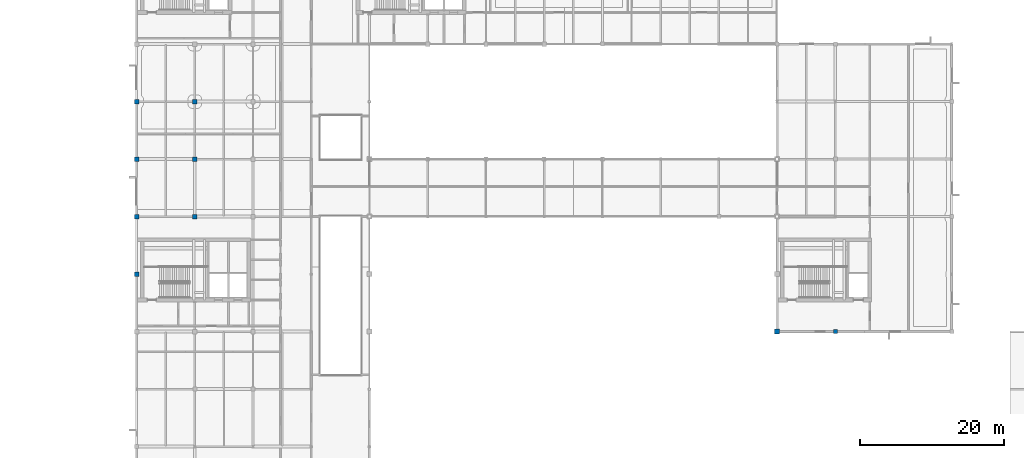
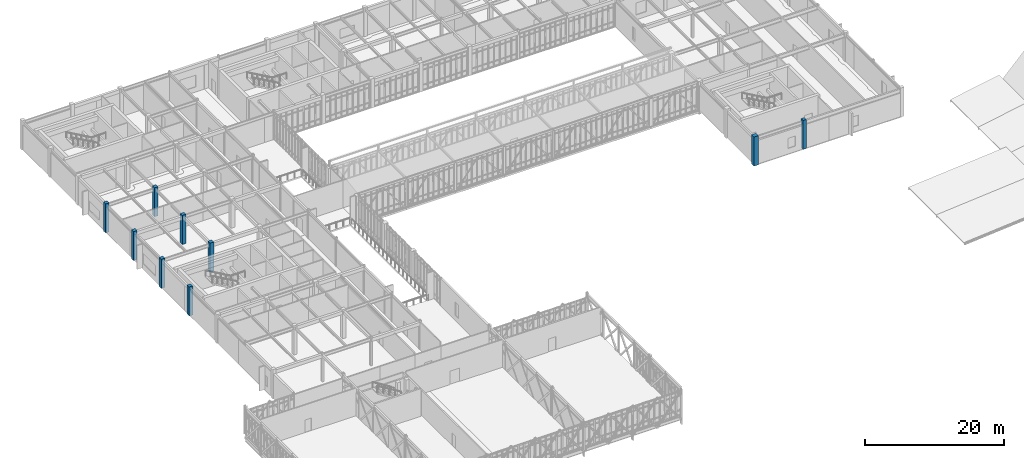
# One storey, part 6 of 107: 9 columns.
"""IFC4 building model written with IfcOpenShell, lengths in metres."""

from ifc_helpers import new_model, si_unit, direction, frame, origin, origin_2d, place, context, subcontext, project, spatial, rectangle, extrude, material, material_profile, profile_set, type_object, element, save


model = new_model("IFC4")

# Units and contexts
model_context = context("Model", 3, precision=1e-05, world=origin(), true_north=direction((0.0, 1.0)))
body_context = subcontext(model_context, "Body", "Model", "MODEL_VIEW")
ifc_project = project(units=[si_unit("LENGTHUNIT", "METRE"), si_unit("AREAUNIT", "SQUARE_METRE"), si_unit("VOLUMEUNIT", "CUBIC_METRE"), si_unit("PLANEANGLEUNIT", "RADIAN"), si_unit("MASSUNIT", "GRAM", prefix="KILO")], contexts=[model_context])

# Site, building, storey
site_placement = place(None, origin())
site = spatial("IfcSite", under=ifc_project, at=site_placement, CompositionType="ELEMENT")
building_placement = place(site_placement, origin())
building = spatial("IfcBuilding", under=site, at=building_placement, Name="Tarnveldt Square Police Headquarters", CompositionType="ELEMENT")
storey_placement = place(building_placement, frame((0.0, 0.0, 14.699951171875)))
storey = spatial("IfcBuildingStorey", under=building, at=storey_placement, Name="L03", CompositionType="ELEMENT", Elevation=14.699951171875)

# Columns
ifc_material_1 = material(Name="Concrete 40 MPa", Category="concrete")
ifc_material_profile_1 = material_profile(ifc_material_1, rectangle(XDim=0.550048828125, YDim=0.550048828125, at=origin_2d()), Name="RC-C550x550")
ifc_profile_set_1 = profile_set([ifc_material_profile_1], Name="Concrete 40 MPa")
column_type_1 = type_object("IfcColumnType", Name="COL-RC550", PredefinedType="COLUMN", material=ifc_profile_set_1)
column_1_placement = place(storey_placement, frame((113.39990234375, 56.0, 0.0), z_axis=(0.0, 0.0, 1.0), x_axis=(1.0, 0.0, 0.0)))
element("IfcColumn", 1, at=column_1_placement, inside=storey, type_object=column_type_1, Name="L03 Column 156", PredefinedType="COLUMN", context=body_context, shape_type="SweptSolid", body=[
    extrude(rectangle(XDim=0.550048828125, YDim=0.550048828125, at=origin_2d()), origin(), (0.0, 0.0, 1.0), 5.10009765625),
])
ifc_material_profile_2 = material_profile(ifc_material_1, rectangle(XDim=0.60009765625, YDim=0.60009765625, at=origin_2d()), Name="RC-C600x600")
ifc_profile_set_2 = profile_set([ifc_material_profile_2], Name="Concrete 40 MPa")
column_type_2 = type_object("IfcColumnType", Name="COL-RC600", PredefinedType="COLUMN", material=ifc_profile_set_2)
for number, where, z_axis, x_axis, name in (
    (2, (16.199951171875, 64.0, 0.0), (0.0, 0.0, 1.0), (1.0, 0.0, 0.0), "L03 Column 021"),
    (3, (16.199951171875, 72.0, 0.0), (0.0, 0.0, 1.0), (1.0, 0.0, 0.0), "L03 Column 022"),
    (4, (16.199951171875, 80.0, 0.0), (0.0, 0.0, 1.0), (1.0, 0.0, 0.0), "L03 Column 023"),
    (5, (16.199951171875, 88.0, 0.0), (0.0, 0.0, 1.0), (1.0, 0.0, 0.0), "L03 Column 024"),
    (6, (24.300048828125, 72.0, 0.0), (0.0, 0.0, 1.0), (1.0, 0.0, 0.0), "L03 Column 034"),
    (7, (24.300048828125, 80.0, 0.0), (0.0, 0.0, 1.0), (1.0, 0.0, 0.0), "L03 Column 035"),
    (8, (24.300048828125, 88.0, 0.0), (0.0, 0.0, 1.0), (1.0, 0.0, 0.0), "L03 Column 036"),
):
    element("IfcColumn", number, at=place(storey_placement, frame(where, z_axis=z_axis, x_axis=x_axis)), inside=storey, type_object=column_type_2, Name=name, PredefinedType="COLUMN", context=body_context, shape_type="SweptSolid", body=[
        extrude(rectangle(XDim=0.60009765625, YDim=0.60009765625, at=origin_2d()), origin(), (0.0, 0.0, 1.0), 5.10009765625),
    ])
ifc_material_2 = material(Name="Concrete 50 MPa", Category="concrete")
ifc_material_profile_3 = material_profile(ifc_material_2, rectangle(XDim=0.699951171875, YDim=0.699951171875, at=origin_2d()), Name="RC-C700x700")
ifc_profile_set_3 = profile_set([ifc_material_profile_3], Name="Concrete 50 MPa")
column_type_3 = type_object("IfcColumnType", Name="COL-RC700", PredefinedType="COLUMN", material=ifc_profile_set_3)
column_2_placement = place(storey_placement, frame((105.300048828125, 56.0, 0.0), z_axis=(0.0, 0.0, 1.0), x_axis=(1.0, 0.0, 0.0)))
element("IfcColumn", 9, at=column_2_placement, inside=storey, type_object=column_type_3, Name="L03 Column 145", PredefinedType="COLUMN", context=body_context, shape_type="SweptSolid", body=[
    extrude(rectangle(XDim=0.699951171875, YDim=0.699951171875, at=origin_2d()), origin(), (0.0, 0.0, 1.0), 5.10009765625),
])

save(model, "model.ifc")
